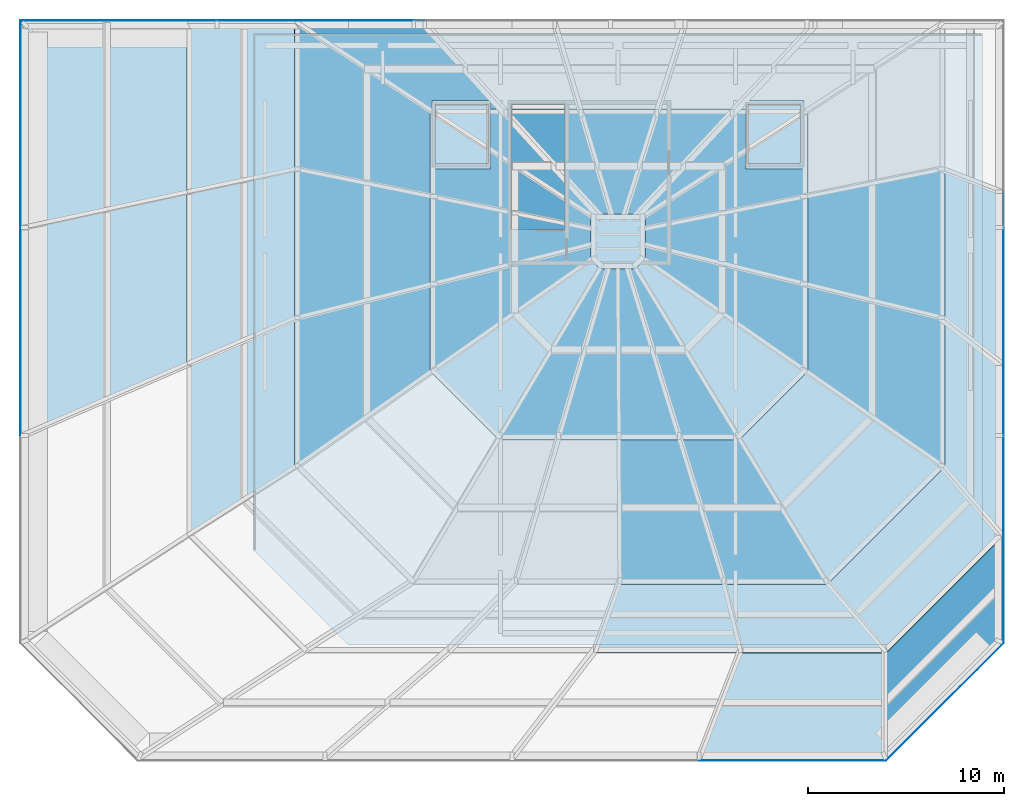
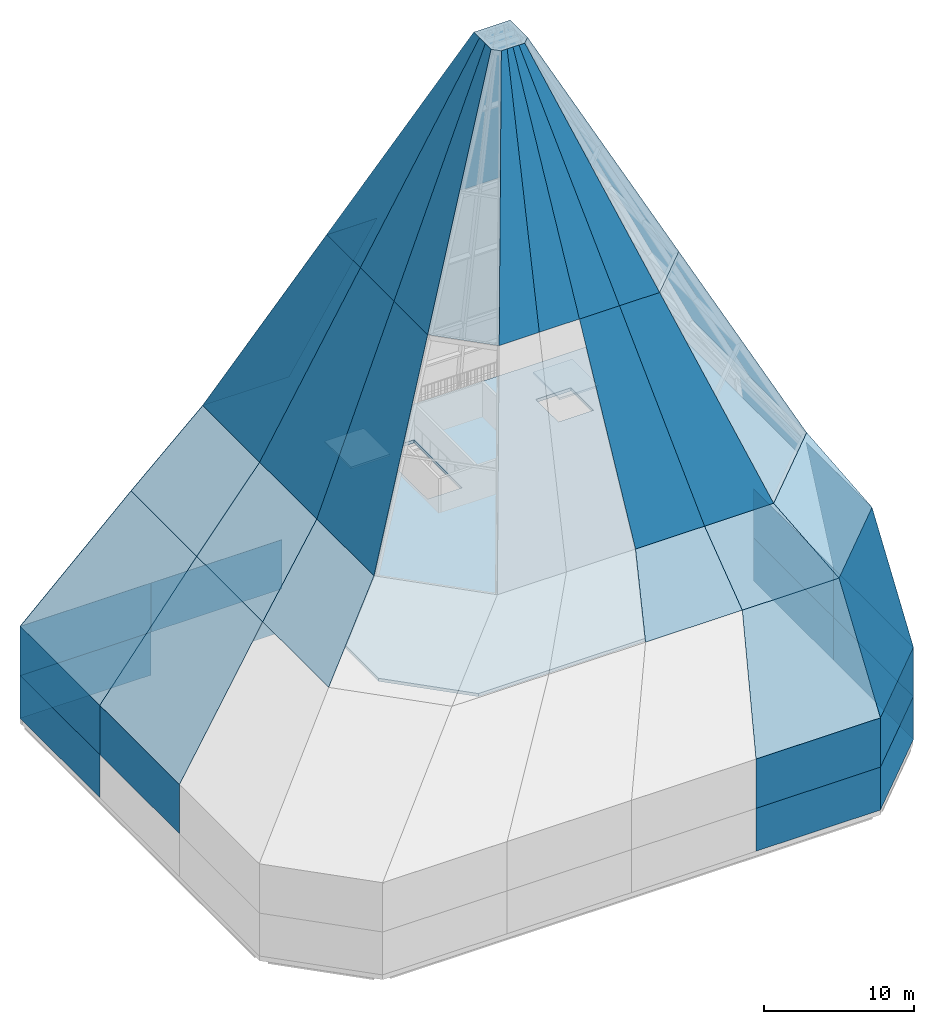
# One storey, part 5 of 7: 58 plates, 3 slabs.
"""IFC4 building model written with IfcOpenShell, lengths in metres."""

from ifc_helpers import new_model, si_unit, direction, frame, origin, place, context, subcontext, project, spatial, polyline, outline, extrude, material, layer, layer_set, type_object, element, save


model = new_model("IFC4")

# Units and contexts
model_context = context("Model", 3, precision=1e-05, world=origin(), true_north=direction((0.0, 1.0)))
body_context = subcontext(model_context, "Body", "Model", "MODEL_VIEW")
ifc_project = project(units=[si_unit("LENGTHUNIT", "METRE"), si_unit("AREAUNIT", "SQUARE_METRE"), si_unit("VOLUMEUNIT", "CUBIC_METRE"), si_unit("PLANEANGLEUNIT", "RADIAN"), si_unit("MASSUNIT", "GRAM", prefix="KILO")], contexts=[model_context])

# Site, building, storey
site_placement = place(None, origin())
site = spatial("IfcSite", under=ifc_project, at=site_placement, CompositionType="ELEMENT")
building_placement = place(site_placement, origin())
building = spatial("IfcBuilding", under=site, at=building_placement, Name="Sorahane Residences", CompositionType="ELEMENT")
storey_placement = place(building_placement, frame((0.0, 0.0, 357.800048828125)))
storey = spatial("IfcBuildingStorey", under=building, at=storey_placement, Name="RF", CompositionType="ELEMENT", Elevation=357.800048828125)

# Slab
ifc_material_1 = material(Name="Concrete C35", Category="concrete")
ifc_layer_1 = layer(ifc_material_1, 0.25)
ifc_layer_set_1 = layer_set([ifc_layer_1], Name="Composite roof slab 250 mm Concrete C35")
slab_type_1 = type_object("IfcSlabType", Name="Composite roof slab 250 mm Concrete C35", PredefinedType="ROOF", material=ifc_layer_set_1)
slab_1_placement = place(storey_placement, frame((0.0, 0.0, -0.25)))
element("IfcSlab", 1, at=slab_1_placement, inside=storey, type_object=slab_type_1, Name="Slab RF", PredefinedType="ROOF", context=body_context, shape_type="SweptSolid", body=[
    extrude(outline(polyline([(10.25146484375, 17.39990234375), (5.39990234375, 22.25146484375), (5.39990234375, 48.60009765625), (42.60009765625, 48.60009765625), (42.60009765625, 22.25146484375), (37.74853515625, 17.39990234375), (10.25146484375, 17.39990234375)]), holes=[polyline([(30.60009765625, 42.0), (33.300048828125, 42.0), (33.300048828125, 45.0), (30.60009765625, 45.0), (30.60009765625, 42.0)]), polyline([(14.699951171875, 42.0), (17.39990234375, 42.0), (17.39990234375, 45.0), (14.699951171875, 45.0), (14.699951171875, 42.0)]), polyline([(21.25, 38.60009765625), (21.25, 45.0), (18.60009765625, 45.0), (18.60009765625, 38.60009765625), (21.25, 38.60009765625)])]), origin(), (0.0, 0.0, 1.0), 0.25),
])

# Plates
ifc_material_2 = material(Name="Laminated low-iron glass", Category="glass")
ifc_layer_2 = layer(ifc_material_2, 0.030029296875)
ifc_layer_set_2 = layer_set([ifc_layer_2], Name="Glass point facet laminated low-iron glass 30")
plate_type = type_object("IfcPlateType", Name="Glass point facet laminated low-iron glass 30", PredefinedType="SHEET", material=ifc_layer_set_2)
plate_1_placement = place(storey_placement, frame((28.14990234375, 11.5, -15.47998046875), z_axis=(0.0, -1.0, 0.0), x_axis=(1.0, 0.0, 0.0)))
element("IfcPlate", 2, at=plate_1_placement, inside=storey, type_object=plate_type, Name="Glass point facet 1.5", PredefinedType="SHEET", context=body_context, shape_type="SweptSolid", body=[
    extrude(outline(polyline([(0.0, 0.0), (9.550048828125, 0.0), (9.550048828125, 3.47998046875), (0.0, 3.47998046875), (0.0, 0.0)])), origin(), (0.0, 0.0, -1.0), 0.030029296875),
])
plate_2_placement = place(storey_placement, frame((37.699951171875, 11.5, -15.47998046875), z_axis=(0.707106781187, -0.707106781187, 0.0), x_axis=(0.707106781187, 0.707106781187, 0.0)))
element("IfcPlate", 3, at=plate_2_placement, inside=storey, type_object=plate_type, Name="Glass point facet 1.6", PredefinedType="SHEET", context=body_context, shape_type="SweptSolid", body=[
    extrude(outline(polyline([(0.0, 0.0), (8.485281374238571, 0.0), (8.485281374238571, 3.47998046875), (0.0, 3.47998046875), (0.0, 0.0)])), origin(), (0.0, 0.0, -1.0), 0.030029296875),
])
plate_3_placement = place(storey_placement, frame((43.699951171875, 17.5, -15.47998046875), z_axis=(1.0, 0.0, 0.0), x_axis=(0.0, 1.0, 0.0)))
element("IfcPlate", 4, at=plate_3_placement, inside=storey, type_object=plate_type, Name="Glass point facet 1.7", PredefinedType="SHEET", context=body_context, shape_type="SweptSolid", body=[
    extrude(outline(polyline([(0.0, 0.0), (10.60009765625, 0.0), (10.60009765625, 3.47998046875), (0.0, 3.47998046875), (0.0, 0.0)])), origin(), (0.0, 0.0, -1.0), 0.030029296875),
])
plate_4_placement = place(storey_placement, frame((43.699951171875, 28.10009765625, -15.47998046875), z_axis=(1.0, 0.0, 0.0), x_axis=(0.0, 1.0, 0.0)))
element("IfcPlate", 5, at=plate_4_placement, inside=storey, type_object=plate_type, Name="Glass point facet 1.8", PredefinedType="SHEET", context=body_context, shape_type="SweptSolid", body=[
    extrude(outline(polyline([(0.0, 0.0), (10.599853515625, 0.0), (10.599853515625, 3.47998046875), (0.0, 3.47998046875), (0.0, 0.0)])), origin(), (0.0, 0.0, -1.0), 0.030029296875),
])
for number, where, z_axis, x_axis, name in (
    (6, (13.580078125, 49.300048828125, -15.47998046875), (0.0, 1.0, 0.0), (-1.0, 0.0, 0.0), "Glass point facet 1.13"),
    (7, (3.5400390625, 49.300048828125, -15.47998046875), (0.0, 1.0, 0.0), (-1.0, 0.0, 0.0), "Glass point facet 1.14"),
):
    element("IfcPlate", number, at=place(storey_placement, frame(where, z_axis=z_axis, x_axis=x_axis)), inside=storey, type_object=plate_type, Name=name, PredefinedType="SHEET", context=body_context, shape_type="SweptSolid", body=[
        extrude(outline(polyline([(0.0, 0.0), (10.0400390625, 0.0), (10.0400390625, 3.47998046875), (0.0, 3.47998046875), (0.0, 0.0)])), origin(), (0.0, 0.0, -1.0), 0.030029296875),
    ])
plate_5_placement = place(storey_placement, frame((-6.5, 49.300048828125, -15.47998046875), z_axis=(-1.0, 0.0, 0.0), x_axis=(0.0, -1.0, 0.0)))
element("IfcPlate", 8, at=plate_5_placement, inside=storey, type_object=plate_type, Name="Glass point facet 1.15", PredefinedType="SHEET", context=body_context, shape_type="SweptSolid", body=[
    extrude(outline(polyline([(0.0, 0.0), (10.60009765625, 0.0), (10.60009765625, 3.47998046875), (0.0, 3.47998046875), (0.0, 0.0)])), origin(), (0.0, 0.0, -1.0), 0.030029296875),
])
plate_6_placement = place(storey_placement, frame((28.14990234375, 11.5, -12.0), z_axis=(0.0, -1.0, 0.0), x_axis=(1.0, 0.0, 0.0)))
element("IfcPlate", 9, at=plate_6_placement, inside=storey, type_object=plate_type, Name="Glass point facet 2.5", PredefinedType="SHEET", context=body_context, shape_type="SweptSolid", body=[
    extrude(outline(polyline([(0.0, 0.0), (9.550048828125, 0.0), (9.550048828125, 4.0), (0.0, 4.0), (0.0, 0.0)])), origin(), (0.0, 0.0, -1.0), 0.030029296875),
])
plate_7_placement = place(storey_placement, frame((37.699951171875, 11.5, -12.0), z_axis=(0.707106781187, -0.707106781187, 0.0), x_axis=(0.707106781187, 0.707106781187, 0.0)))
element("IfcPlate", 10, at=plate_7_placement, inside=storey, type_object=plate_type, Name="Glass point facet 2.6", PredefinedType="SHEET", context=body_context, shape_type="SweptSolid", body=[
    extrude(outline(polyline([(0.0, 0.0), (8.485281374238571, 0.0), (8.485281374238571, 4.000000000000001), (0.0, 4.000000000000001), (0.0, 0.0)])), origin(), (0.0, 0.0, -1.0), 0.030029296875),
])
plate_8_placement = place(storey_placement, frame((43.699951171875, 17.5, -12.0), z_axis=(1.0, 0.0, 0.0), x_axis=(0.0, 1.0, 0.0)))
element("IfcPlate", 11, at=plate_8_placement, inside=storey, type_object=plate_type, Name="Glass point facet 2.7", PredefinedType="SHEET", context=body_context, shape_type="SweptSolid", body=[
    extrude(outline(polyline([(0.0, 0.0), (10.60009765625, 0.0), (10.60009765625, 4.0), (0.0, 4.0), (0.0, 0.0)])), origin(), (0.0, 0.0, -1.0), 0.030029296875),
])
plate_9_placement = place(storey_placement, frame((43.699951171875, 28.10009765625, -12.0), z_axis=(1.0, 0.0, 0.0), x_axis=(0.0, 1.0, 0.0)))
element("IfcPlate", 12, at=plate_9_placement, inside=storey, type_object=plate_type, Name="Glass point facet 2.8", PredefinedType="SHEET", context=body_context, shape_type="SweptSolid", body=[
    extrude(outline(polyline([(0.0, 0.0), (10.599853515625, 0.0), (10.599853515625, 4.0), (0.0, 4.0), (0.0, 0.0)])), origin(), (0.0, 0.0, -1.0), 0.030029296875),
])
for number, where, z_axis, x_axis, name in (
    (13, (13.580078125, 49.300048828125, -12.0), (0.0, 1.0, 0.0), (-1.0, 0.0, 0.0), "Glass point facet 2.13"),
    (14, (3.5400390625, 49.300048828125, -12.0), (0.0, 1.0, 0.0), (-1.0, 0.0, 0.0), "Glass point facet 2.14"),
):
    element("IfcPlate", number, at=place(storey_placement, frame(where, z_axis=z_axis, x_axis=x_axis)), inside=storey, type_object=plate_type, Name=name, PredefinedType="SHEET", context=body_context, shape_type="SweptSolid", body=[
        extrude(outline(polyline([(0.0, 0.0), (10.0400390625, 0.0), (10.0400390625, 4.0), (0.0, 4.0), (0.0, 0.0)])), origin(), (0.0, 0.0, -1.0), 0.030029296875),
    ])
plate_10_placement = place(storey_placement, frame((-6.5, 49.300048828125, -12.0), z_axis=(-1.0, 0.0, 0.0), x_axis=(0.0, -1.0, 0.0)))
element("IfcPlate", 15, at=plate_10_placement, inside=storey, type_object=plate_type, Name="Glass point facet 2.15", PredefinedType="SHEET", context=body_context, shape_type="SweptSolid", body=[
    extrude(outline(polyline([(0.0, 0.0), (10.60009765625, 0.0), (10.60009765625, 4.0), (0.0, 4.0), (0.0, 0.0)])), origin(), (0.0, 0.0, -1.0), 0.030029296875),
])
plate_11_placement = place(storey_placement, frame((-6.5, 38.699951171875, -12.0), z_axis=(-1.0, 0.0, 0.0), x_axis=(0.0, -1.0, 0.0)))
element("IfcPlate", 16, at=plate_11_placement, inside=storey, type_object=plate_type, Name="Glass point facet 2.16", PredefinedType="SHEET", context=body_context, shape_type="SweptSolid", body=[
    extrude(outline(polyline([(0.0, 0.0), (10.599853515625, 0.0), (10.599853515625, 4.0), (0.0, 4.0), (0.0, 0.0)])), origin(), (0.0, 0.0, -1.0), 0.030029296875),
])
plate_12_placement = place(storey_placement, frame((28.14990234375, 11.5, -8.0), z_axis=(0.0, -0.824041924199, 0.566528822887), x_axis=(1.0, 0.0, 0.0)))
element("IfcPlate", 17, at=plate_12_placement, inside=storey, type_object=plate_type, Name="Glass point facet 3.5", PredefinedType="SHEET", context=body_context, shape_type="SweptSolid", body=[
    extrude(outline(polyline([(0.0, 0.0), (9.550048828125, 0.0), (9.550048828125, 9.708243919473798), (2.125, 9.708243919473798), (0.0, 0.0)])), origin(), (0.0, 0.0, -1.0), 0.030029296875),
])
plate_13_placement = place(storey_placement, frame((37.699951171875, 11.5, -8.0), z_axis=(0.635942906814, -0.635942906814, 0.437210748434), x_axis=(0.707106781187, 0.707106781187, 0.0)))
element("IfcPlate", 18, at=plate_13_placement, inside=storey, type_object=plate_type, Name="Glass point facet 3.6", PredefinedType="SHEET", context=body_context, shape_type="SweptSolid", body=[
    extrude(outline(polyline([(0.0, 0.0), (8.485281374238571, 0.0), (12.374368670764582, 8.8952234373286), (3.8890872965260117, 8.8952234373286), (0.0, 0.0)])), origin(), (0.0, 0.0, -1.0), 0.030029296875),
])
plate_14_placement = place(storey_placement, frame((43.699951171875, 17.5, -8.0), z_axis=(1.0, 0.0, 0.0), x_axis=(0.0, 1.0, 0.0)))
element("IfcPlate", 19, at=plate_14_placement, inside=storey, type_object=plate_type, Name="Glass point facet 3.7", PredefinedType="SHEET", context=body_context, shape_type="SweptSolid", body=[
    extrude(outline(polyline([(0.0, 0.0), (10.60009765625, 0.0), (14.2666015625, 8.0), (5.5, 8.0), (0.0, 0.0)])), origin(), (0.0, 0.0, -1.0), 0.030029296875),
])
plate_15_placement = place(storey_placement, frame((43.699951171875, 28.10009765625, -8.0), z_axis=(1.0, 0.0, 0.0), x_axis=(0.0, 1.0, 0.0)))
element("IfcPlate", 20, at=plate_15_placement, inside=storey, type_object=plate_type, Name="Glass point facet 3.8", PredefinedType="SHEET", context=body_context, shape_type="SweptSolid", body=[
    extrude(outline(polyline([(0.0, 0.0), (10.599853515625, 0.0), (12.43310546875, 8.0), (3.66650390625, 8.0), (0.0, 0.0)])), origin(), (0.0, 0.0, -1.0), 0.030029296875),
])
plate_16_placement = place(storey_placement, frame((3.5400390625, 49.300048828125, -8.0), z_axis=(0.0, 1.0, 0.0), x_axis=(-1.0, 0.0, 0.0)))
element("IfcPlate", 21, at=plate_16_placement, inside=storey, type_object=plate_type, Name="Glass point facet 3.14", PredefinedType="SHEET", context=body_context, shape_type="SweptSolid", body=[
    extrude(outline(polyline([(0.0, 0.0), (10.0400390625, 0.0), (1.5400390625, 8.0), (-6.800048828125, 8.0), (0.0, 0.0)])), origin(), (0.0, 0.0, -1.0), 0.030029296875),
])
plate_17_placement = place(storey_placement, frame((-6.5, 49.300048828125, -8.0), z_axis=(-0.685364699005, 0.0, 0.728199992693), x_axis=(0.0, -1.0, 0.0)))
element("IfcPlate", 22, at=plate_17_placement, inside=storey, type_object=plate_type, Name="Glass point facet 3.15", PredefinedType="SHEET", context=body_context, shape_type="SweptSolid", body=[
    extrude(outline(polyline([(0.0, 0.0), (10.60009765625, 0.0), (8.766845703125, 11.672617529928752), (0.0, 11.672617529928752), (0.0, 0.0)])), origin(), (0.0, 0.0, -1.0), 0.030029296875),
])
plate_18_placement = place(storey_placement, frame((-6.5, 38.699951171875, -8.0), z_axis=(-0.685364699005, 0.0, 0.728199992693), x_axis=(0.0, -1.0, 0.0)))
element("IfcPlate", 23, at=plate_18_placement, inside=storey, type_object=plate_type, Name="Glass point facet 3.16", PredefinedType="SHEET", context=body_context, shape_type="SweptSolid", body=[
    extrude(outline(polyline([(0.0, 0.0), (10.599853515625, 0.0), (6.933349609375, 11.672617529928752), (-1.833251953125, 11.672617529928752), (0.0, 0.0)])), origin(), (0.0, 0.0, -1.0), 0.030029296875),
])
plate_19_placement = place(storey_placement, frame((22.85009765625, 17.0, 0.0), z_axis=(0.0, -0.819231920519, 0.573462344363), x_axis=(1.0, 0.0, 0.0)))
element("IfcPlate", 24, at=plate_19_placement, inside=storey, type_object=plate_type, Name="Glass point facet 4.4", PredefinedType="SHEET", context=body_context, shape_type="SweptSolid", body=[
    extrude(outline(polyline([(0.0, 0.0), (7.4248046875, 0.0), (6.5498046875, 6.103277807866851), (1.25, 6.103277807866851), (0.0, 0.0)])), origin(), (0.0, 0.0, -1.0), 0.030029296875),
])
plate_20_placement = place(storey_placement, frame((30.27490234375, 17.0, 0.0), z_axis=(0.0, -0.819231920519, 0.573462344363), x_axis=(1.0, 0.0, 0.0)))
element("IfcPlate", 25, at=plate_20_placement, inside=storey, type_object=plate_type, Name="Glass point facet 4.5", PredefinedType="SHEET", context=body_context, shape_type="SweptSolid", body=[
    extrude(outline(polyline([(0.0, 0.0), (7.425048828125, 0.0), (4.425048828125, 6.103277807866851), (-0.875, 6.103277807866851), (0.0, 0.0)])), origin(), (0.0, 0.0, -1.0), 0.030029296875),
])
plate_21_placement = place(storey_placement, frame((37.699951171875, 17.0, 0.0), z_axis=(0.520579206295, -0.520579206295, 0.676752968184), x_axis=(0.707106781187, 0.707106781187, 0.0)))
element("IfcPlate", 26, at=plate_21_placement, inside=storey, type_object=plate_type, Name="Glass point facet 4.6", PredefinedType="SHEET", context=body_context, shape_type="SweptSolid", body=[
    extrude(outline(polyline([(0.0, 0.0), (8.485281374238571, 0.0), (8.838834764831844, 6.791538853603062), (0.3535533905932735, 6.791538853603063), (0.0, 0.0)])), origin(), (0.0, 0.0, -1.0), 0.030029296875),
])
plate_22_placement = place(storey_placement, frame((43.699951171875, 23.0, 0.0), z_axis=(0.857492925713, 0.0, 0.514495755428), x_axis=(0.0, 1.0, 0.0)))
element("IfcPlate", 27, at=plate_22_placement, inside=storey, type_object=plate_type, Name="Glass point facet 4.7", PredefinedType="SHEET", context=body_context, shape_type="SweptSolid", body=[
    extrude(outline(polyline([(0.0, 0.0), (8.7666015625, 0.0), (11.10009765625, 5.830951894845301), (3.5, 5.830951894845301), (0.0, 0.0)])), origin(), (0.0, 0.0, -1.0), 0.030029296875),
])
plate_23_placement = place(storey_placement, frame((43.699951171875, 31.7666015625, 0.0), z_axis=(0.857492925713, 0.0, 0.514495755428), x_axis=(0.0, 1.0, 0.0)))
element("IfcPlate", 28, at=plate_23_placement, inside=storey, type_object=plate_type, Name="Glass point facet 4.8", PredefinedType="SHEET", context=body_context, shape_type="SweptSolid", body=[
    extrude(outline(polyline([(0.0, 0.0), (8.7666015625, 0.0), (9.933349609375, 5.830951894845301), (2.33349609375, 5.830951894845301), (0.0, 0.0)])), origin(), (0.0, 0.0, -1.0), 0.030029296875),
])
plate_24_placement = place(storey_placement, frame((10.340087890625, 49.300048828125, 0.0), z_axis=(0.0, 1.0, 0.0), x_axis=(-1.0, 0.0, 0.0)))
element("IfcPlate", 29, at=plate_24_placement, inside=storey, type_object=plate_type, Name="Glass point facet 4.14", PredefinedType="SHEET", context=body_context, shape_type="SweptSolid", body=[
    extrude(outline(polyline([(0.0, 0.0), (8.340087890625, 0.0), (2.840087890625, 5.0), (-3.7998046875, 5.0), (0.0, 0.0)])), origin(), (0.0, 0.0, -1.0), 0.030029296875),
])
plate_25_placement = place(storey_placement, frame((2.0, 49.300048828125, 0.0), z_axis=(-0.672672793996, 0.0, 0.739940073396), x_axis=(0.0, -1.0, 0.0)))
element("IfcPlate", 30, at=plate_25_placement, inside=storey, type_object=plate_type, Name="Glass point facet 4.15", PredefinedType="SHEET", context=body_context, shape_type="SweptSolid", body=[
    extrude(outline(polyline([(0.0, 0.0), (8.766845703125, 0.0), (7.60009765625, 7.433034373659253), (0.0, 7.433034373659253), (0.0, 0.0)])), origin(), (0.0, 0.0, -1.0), 0.030029296875),
])
plate_26_placement = place(storey_placement, frame((2.0, 40.533203125, 0.0), z_axis=(-0.672672793996, 0.0, 0.739940073396), x_axis=(0.0, -1.0, 0.0)))
element("IfcPlate", 31, at=plate_26_placement, inside=storey, type_object=plate_type, Name="Glass point facet 4.16", PredefinedType="SHEET", context=body_context, shape_type="SweptSolid", body=[
    extrude(outline(polyline([(0.0, 0.0), (8.7666015625, 0.0), (6.43310546875, 7.433034373659254), (-1.166748046875, 7.433034373659254), (0.0, 0.0)])), origin(), (0.0, 0.0, -1.0), 0.030029296875),
])
plate_27_placement = place(storey_placement, frame((2.0, 31.7666015625, 0.0), z_axis=(-0.672672793996, 0.0, 0.739940073396), x_axis=(0.0, -1.0, 0.0)))
element("IfcPlate", 32, at=plate_27_placement, inside=storey, type_object=plate_type, Name="Glass point facet 4.17", PredefinedType="SHEET", context=body_context, shape_type="SweptSolid", body=[
    extrude(outline(polyline([(0.0, 0.0), (8.7666015625, 0.0), (5.2666015625, 7.433034373659253), (-2.33349609375, 7.433034373659253), (0.0, 0.0)])), origin(), (0.0, 0.0, -1.0), 0.030029296875),
])
plate_28_placement = place(storey_placement, frame((24.10009765625, 20.5, 5.0), z_axis=(0.0, -0.88745251213, 0.460899163281), x_axis=(1.0, 0.0, 0.0)))
element("IfcPlate", 33, at=plate_28_placement, inside=storey, type_object=plate_type, Name="Glass point facet 5.4", PredefinedType="SHEET", context=body_context, shape_type="SweptSolid", body=[
    extrude(outline(polyline([(0.0, 0.0), (5.2998046875, 0.0), (3.032470703125, 16.000801144599606), (-0.0458984375, 16.000801144599606), (0.0, 0.0)])), origin(), (0.0, 0.0, -1.0), 0.030029296875),
])
plate_29_placement = place(storey_placement, frame((29.39990234375, 20.5, 5.0), z_axis=(0.0, -0.88745251213, 0.460899163281), x_axis=(1.0, 0.0, 0.0)))
element("IfcPlate", 34, at=plate_29_placement, inside=storey, type_object=plate_type, Name="Glass point facet 5.5", PredefinedType="SHEET", context=body_context, shape_type="SweptSolid", body=[
    extrude(outline(polyline([(0.0, 0.0), (5.300048828125, 0.0), (0.81103515625, 16.000801144599606), (-2.267333984375, 16.000801144599606), (0.0, 0.0)])), origin(), (0.0, 0.0, -1.0), 0.030029296875),
])
plate_30_placement = place(storey_placement, frame((34.699951171875, 20.5, 5.0), z_axis=(0.608803193178, -0.608803193178, 0.508642648579), x_axis=(0.707106781187, 0.707106781187, 0.0)))
element("IfcPlate", 35, at=plate_30_placement, inside=storey, type_object=plate_type, Name="Glass point facet 5.6", PredefinedType="SHEET", context=body_context, shape_type="SweptSolid", body=[
    extrude(outline(polyline([(0.0, 0.0), (8.485281374238571, 0.0), (6.962999246186087, 16.49282046919029), (2.040527869537352, 16.49282046919029), (0.0, 0.0)])), origin(), (0.0, 0.0, -1.0), 0.030029296875),
])
plate_31_placement = place(storey_placement, frame((40.699951171875, 26.5, 5.0), z_axis=(0.89673091581, 0.0, 0.442576168169), x_axis=(0.0, 1.0, 0.0)))
element("IfcPlate", 36, at=plate_31_placement, inside=storey, type_object=plate_type, Name="Glass point facet 5.7", PredefinedType="SHEET", context=body_context, shape_type="SweptSolid", body=[
    extrude(outline(polyline([(0.0, 0.0), (7.60009765625, 0.0), (9.3251953125, 15.835242123949463), (4.85546875, 15.835242123949463), (0.0, 0.0)])), origin(), (0.0, 0.0, -1.0), 0.030029296875),
])
plate_32_placement = place(storey_placement, frame((40.699951171875, 34.10009765625, 5.0), z_axis=(0.89673091581, 0.0, 0.442576168169), x_axis=(0.0, 1.0, 0.0)))
element("IfcPlate", 37, at=plate_32_placement, inside=storey, type_object=plate_type, Name="Glass point facet 5.8", PredefinedType="SHEET", context=body_context, shape_type="SweptSolid", body=[
    extrude(outline(polyline([(0.0, 0.0), (7.599853515625, 0.0), (6.1953125, 15.835242123949463), (1.72509765625, 15.835242123949463), (0.0, 0.0)])), origin(), (0.0, 0.0, -1.0), 0.030029296875),
])
plate_33_placement = place(storey_placement, frame((14.139892578125, 49.300048828125, 5.0), z_axis=(0.0, 0.952600652207, 0.304223597729), x_axis=(-1.0, 0.0, 0.0)))
element("IfcPlate", 38, at=plate_33_placement, inside=storey, type_object=plate_type, Name="Glass point facet 5.14", PredefinedType="SHEET", context=body_context, shape_type="SweptSolid", body=[
    extrude(outline(polyline([(0.0, 0.0), (6.639892578125, 0.0), (-0.27685546875, 14.90651002493173), (-4.1318359375, 14.90651002493173), (0.0, 0.0)])), origin(), (0.0, 0.0, -1.0), 0.030029296875),
])
plate_34_placement = place(storey_placement, frame((7.5, 49.300048828125, 5.0), z_axis=(-0.899019203706, 0.0, 0.43790920448), x_axis=(0.0, -1.0, 0.0)))
element("IfcPlate", 39, at=plate_34_placement, inside=storey, type_object=plate_type, Name="Glass point facet 5.15", PredefinedType="SHEET", context=body_context, shape_type="SweptSolid", body=[
    extrude(outline(polyline([(0.0, 0.0), (7.60009765625, 0.0), (9.004638671875, 15.794936429995001), (4.534912109375, 15.794936429995001), (0.0, 0.0)])), origin(), (0.0, 0.0, -1.0), 0.030029296875),
])
plate_35_placement = place(storey_placement, frame((7.5, 41.699951171875, 5.0), z_axis=(-0.899019203706, 0.0, 0.43790920448), x_axis=(0.0, -1.0, 0.0)))
element("IfcPlate", 40, at=plate_35_placement, inside=storey, type_object=plate_type, Name="Glass point facet 5.16", PredefinedType="SHEET", context=body_context, shape_type="SweptSolid", body=[
    extrude(outline(polyline([(0.0, 0.0), (7.599853515625, 0.0), (5.874755859375, 15.794936429995005), (1.404541015625, 15.794936429995005), (0.0, 0.0)])), origin(), (0.0, 0.0, -1.0), 0.030029296875),
])
plate_36_placement = place(storey_placement, frame((7.5, 34.10009765625, 5.0), z_axis=(-0.899019203706, 0.0, 0.43790920448), x_axis=(0.0, -1.0, 0.0)))
element("IfcPlate", 41, at=plate_36_placement, inside=storey, type_object=plate_type, Name="Glass point facet 5.17", PredefinedType="SHEET", context=body_context, shape_type="SweptSolid", body=[
    extrude(outline(polyline([(0.0, 0.0), (7.60009765625, 0.0), (2.74462890625, 15.794936429995001), (-1.72509765625, 15.794936429995001), (0.0, 0.0)])), origin(), (0.0, 0.0, -1.0), 0.030029296875),
])
plate_37_placement = place(storey_placement, frame((14.416748046875, 31.35546875, 19.199951171875), z_axis=(-0.610015409344, -0.610015409344, 0.505729572721), x_axis=(0.707106781187, -0.707106781187, 0.0)))
element("IfcPlate", 42, at=plate_37_placement, inside=storey, type_object=plate_type, Name="Glass point facet 6.1", PredefinedType="SHEET", context=body_context, shape_type="SweptSolid", body=[
    extrude(outline(polyline([(0.0, 0.0), (4.922471376648735, 0.0), (2.4315427277862605, 19.473980933369532), (1.724435946599713, 19.473980933369532), (0.0, 0.0)])), origin(), (0.0, 0.0, -1.0), 0.030029296875),
])
plate_38_placement = place(storey_placement, frame((17.8974609375, 27.874755859375, 19.199951171875), z_axis=(0.0, -0.887447690267, 0.460908447568), x_axis=(1.0, 0.0, 0.0)))
element("IfcPlate", 43, at=plate_38_placement, inside=storey, type_object=plate_type, Name="Glass point facet 6.2", PredefinedType="SHEET", context=body_context, shape_type="SweptSolid", body=[
    extrude(outline(polyline([(0.0, 0.0), (3.078369140625, 0.0), (5.652587890625, 18.930748270992304), (5.20263671875, 18.930748270992304), (0.0, 0.0)])), origin(), (0.0, 0.0, -1.0), 0.030029296875),
])
plate_39_placement = place(storey_placement, frame((20.975830078125, 27.874755859375, 19.199951171875), z_axis=(0.0, -0.887447690267, 0.460908447568), x_axis=(1.0, 0.0, 0.0)))
element("IfcPlate", 44, at=plate_39_placement, inside=storey, type_object=plate_type, Name="Glass point facet 6.3", PredefinedType="SHEET", context=body_context, shape_type="SweptSolid", body=[
    extrude(outline(polyline([(0.0, 0.0), (3.078369140625, 0.0), (3.024169921875, 18.930748270992304), (2.57421875, 18.930748270992304), (0.0, 0.0)])), origin(), (0.0, 0.0, -1.0), 0.030029296875),
])
plate_40_placement = place(storey_placement, frame((24.05419921875, 27.874755859375, 19.199951171875), z_axis=(0.0, -0.887447690267, 0.460908447568), x_axis=(1.0, 0.0, 0.0)))
element("IfcPlate", 45, at=plate_40_placement, inside=storey, type_object=plate_type, Name="Glass point facet 6.4", PredefinedType="SHEET", context=body_context, shape_type="SweptSolid", body=[
    extrude(outline(polyline([(0.0, 0.0), (3.078369140625, 0.0), (0.395751953125, 18.930748270992304), (-0.05419921875, 18.930748270992304), (0.0, 0.0)])), origin(), (0.0, 0.0, -1.0), 0.030029296875),
])
plate_41_placement = place(storey_placement, frame((27.132568359375, 27.874755859375, 19.199951171875), z_axis=(0.0, -0.887447690267, 0.460908447568), x_axis=(1.0, 0.0, 0.0)))
element("IfcPlate", 46, at=plate_41_placement, inside=storey, type_object=plate_type, Name="Glass point facet 6.5", PredefinedType="SHEET", context=body_context, shape_type="SweptSolid", body=[
    extrude(outline(polyline([(0.0, 0.0), (3.078369140625, 0.0), (-2.232666015625, 18.930748270992304), (-2.6826171875, 18.930748270992304), (0.0, 0.0)])), origin(), (0.0, 0.0, -1.0), 0.030029296875),
])
plate_42_placement = place(storey_placement, frame((30.2109375, 27.874755859375, 19.199951171875), z_axis=(0.608800063783, -0.608800063783, 0.508650139757), x_axis=(0.707106781187, 0.707106781187, 0.0)))
element("IfcPlate", 47, at=plate_42_placement, inside=storey, type_object=plate_type, Name="Glass point facet 6.6", PredefinedType="SHEET", context=body_context, shape_type="SweptSolid", body=[
    extrude(outline(polyline([(0.0, 0.0), (4.922471376648735, 0.0), (3.121386159822746, 19.512856777327443), (2.414279378636198, 19.512856777327443), (0.0, 0.0)])), origin(), (0.0, 0.0, -1.0), 0.030029296875),
])
plate_43_placement = place(storey_placement, frame((33.691650390625, 31.35546875, 19.199951171875), z_axis=(0.896727004152, 0.0, 0.442584093732), x_axis=(0.0, 1.0, 0.0)))
element("IfcPlate", 48, at=plate_43_placement, inside=storey, type_object=plate_type, Name="Glass point facet 6.7", PredefinedType="SHEET", context=body_context, shape_type="SweptSolid", body=[
    extrude(outline(polyline([(0.0, 0.0), (4.4697265625, 0.0), (6.51123046875, 18.73485325003213), (5.74462890625, 18.73485325003213), (0.0, 0.0)])), origin(), (0.0, 0.0, -1.0), 0.030029296875),
])
plate_44_placement = place(storey_placement, frame((33.691650390625, 35.8251953125, 19.199951171875), z_axis=(0.896727004152, 0.0, 0.442584093732), x_axis=(0.0, 1.0, 0.0)))
element("IfcPlate", 49, at=plate_44_placement, inside=storey, type_object=plate_type, Name="Glass point facet 6.8", PredefinedType="SHEET", context=body_context, shape_type="SweptSolid", body=[
    extrude(outline(polyline([(0.0, 0.0), (4.47021484375, 0.0), (2.80810546875, 18.73485325003213), (2.04150390625, 18.73485325003213), (0.0, 0.0)])), origin(), (0.0, 0.0, -1.0), 0.030029296875),
])
plate_45_placement = place(storey_placement, frame((33.691650390625, 40.29541015625, 19.199951171875), z_axis=(0.896727004152, 0.0, 0.442584093732), x_axis=(0.0, 1.0, 0.0)))
element("IfcPlate", 50, at=plate_45_placement, inside=storey, type_object=plate_type, Name="Glass point facet 6.9", PredefinedType="SHEET", context=body_context, shape_type="SweptSolid", body=[
    extrude(outline(polyline([(0.0, 0.0), (4.4697265625, 0.0), (-0.8955078125, 18.73485325003213), (-1.662109375, 18.73485325003213), (0.0, 0.0)])), origin(), (0.0, 0.0, -1.0), 0.030029296875),
])
plate_46_placement = place(storey_placement, frame((33.691650390625, 44.76513671875, 19.199951171875), z_axis=(0.0, 0.952601437633, 0.304221138352), x_axis=(-1.0, 0.0, 0.0)))
element("IfcPlate", 51, at=plate_46_placement, inside=storey, type_object=plate_type, Name="Glass point facet 6.10", PredefinedType="SHEET", context=body_context, shape_type="SweptSolid", body=[
    extrude(outline(polyline([(0.0, 0.0), (3.85498046875, 0.0), (8.8515625, 17.635968375058564), (8.291748046875, 17.635968375058564), (0.0, 0.0)])), origin(), (0.0, 0.0, -1.0), 0.030029296875),
])
plate_47_placement = place(storey_placement, frame((29.836669921875, 44.76513671875, 19.199951171875), z_axis=(0.0, 0.952601437633, 0.304221138352), x_axis=(-1.0, 0.0, 0.0)))
element("IfcPlate", 52, at=plate_47_placement, inside=storey, type_object=plate_type, Name="Glass point facet 6.11", PredefinedType="SHEET", context=body_context, shape_type="SweptSolid", body=[
    extrude(outline(polyline([(0.0, 0.0), (3.85498046875, 0.0), (5.556640625, 17.63596837505856), (4.99658203125, 17.63596837505856), (0.0, 0.0)])), origin(), (0.0, 0.0, -1.0), 0.030029296875),
])
plate_48_placement = place(storey_placement, frame((25.981689453125, 44.76513671875, 19.199951171875), z_axis=(0.0, 0.952601437633, 0.304221138352), x_axis=(-1.0, 0.0, 0.0)))
element("IfcPlate", 53, at=plate_48_placement, inside=storey, type_object=plate_type, Name="Glass point facet 6.12", PredefinedType="SHEET", context=body_context, shape_type="SweptSolid", body=[
    extrude(outline(polyline([(0.0, 0.0), (3.85498046875, 0.0), (2.26171875, 17.63596837505856), (1.70166015625, 17.63596837505856), (0.0, 0.0)])), origin(), (0.0, 0.0, -1.0), 0.030029296875),
])
plate_49_placement = place(storey_placement, frame((22.126708984375, 44.76513671875, 19.199951171875), z_axis=(0.0, 0.952601437633, 0.304221138352), x_axis=(-1.0, 0.0, 0.0)))
element("IfcPlate", 54, at=plate_49_placement, inside=storey, type_object=plate_type, Name="Glass point facet 6.13", PredefinedType="SHEET", context=body_context, shape_type="SweptSolid", body=[
    extrude(outline(polyline([(0.0, 0.0), (3.85498046875, 0.0), (-1.033203125, 17.63596837505856), (-1.59326171875, 17.63596837505856), (0.0, 0.0)])), origin(), (0.0, 0.0, -1.0), 0.030029296875),
])
plate_50_placement = place(storey_placement, frame((18.271728515625, 44.76513671875, 19.199951171875), z_axis=(0.0, 0.952601437633, 0.304221138352), x_axis=(-1.0, 0.0, 0.0)))
element("IfcPlate", 55, at=plate_50_placement, inside=storey, type_object=plate_type, Name="Glass point facet 6.14", PredefinedType="SHEET", context=body_context, shape_type="SweptSolid", body=[
    extrude(outline(polyline([(0.0, 0.0), (3.85498046875, 0.0), (-4.328369140625, 17.635968375058564), (-4.88818359375, 17.635968375058564), (0.0, 0.0)])), origin(), (0.0, 0.0, -1.0), 0.030029296875),
])
plate_51_placement = place(storey_placement, frame((14.416748046875, 44.76513671875, 19.199951171875), z_axis=(-0.89901703767, 0.0, 0.437913651282), x_axis=(0.0, -1.0, 0.0)))
element("IfcPlate", 56, at=plate_51_placement, inside=storey, type_object=plate_type, Name="Glass point facet 6.15", PredefinedType="SHEET", context=body_context, shape_type="SweptSolid", body=[
    extrude(outline(polyline([(0.0, 0.0), (4.4697265625, 0.0), (6.1318359375, 18.68713063733012), (5.365234375, 18.68713063733012), (0.0, 0.0)])), origin(), (0.0, 0.0, -1.0), 0.030029296875),
])
plate_52_placement = place(storey_placement, frame((14.416748046875, 40.29541015625, 19.199951171875), z_axis=(-0.89901703767, 0.0, 0.437913651282), x_axis=(0.0, -1.0, 0.0)))
element("IfcPlate", 57, at=plate_52_placement, inside=storey, type_object=plate_type, Name="Glass point facet 6.16", PredefinedType="SHEET", context=body_context, shape_type="SweptSolid", body=[
    extrude(outline(polyline([(0.0, 0.0), (4.47021484375, 0.0), (2.4287109375, 18.687130637330124), (1.662109375, 18.687130637330124), (0.0, 0.0)])), origin(), (0.0, 0.0, -1.0), 0.030029296875),
])
plate_53_placement = place(storey_placement, frame((14.416748046875, 35.8251953125, 19.199951171875), z_axis=(-0.89901703767, 0.0, 0.437913651282), x_axis=(0.0, -1.0, 0.0)))
element("IfcPlate", 58, at=plate_53_placement, inside=storey, type_object=plate_type, Name="Glass point facet 6.17", PredefinedType="SHEET", context=body_context, shape_type="SweptSolid", body=[
    extrude(outline(polyline([(0.0, 0.0), (4.4697265625, 0.0), (-1.27490234375, 18.68713063733012), (-2.04150390625, 18.68713063733012), (0.0, 0.0)])), origin(), (0.0, 0.0, -1.0), 0.030029296875),
])
plate_54_placement = place(storey_placement, frame((22.60009765625, 37.10009765625, 36.0), z_axis=(0.0, 0.0, 1.0), x_axis=(0.707106781187, -0.707106781187, 0.0)))
element("IfcPlate", 59, at=plate_54_placement, inside=storey, type_object=plate_type, Name="Glass point facet 7.1", PredefinedType="SHEET", context=body_context, shape_type="SweptSolid", body=[
    extrude(outline(polyline([(0.0, 0.0), (0.7071067811865476, 0.0), (1.025270306022194, 0.3181635248356463), (1.3434338308578402, 0.6363270496712925), (1.6615973556934864, 0.954490574506939), (1.9797608805291327, 1.2726540993425852), (1.9797608805291327, 1.9797608805291327), (1.4376917172171797, 2.521830043841086), (0.8956225539052267, 3.063899207153039), (0.35355339059327373, 3.605968370464992), (-0.042295205417652415, 3.2101197744540655), (-0.4383164349200792, 2.814098544951639), (-0.834337664422506, 2.418077315449212), (-1.2303588939249328, 2.022056085946785), (-1.626207489935859, 1.626207489935859), (-1.084138326623906, 1.084138326623906), (-0.542069163311953, 0.542069163311953), (0.0, 0.0)])), origin(), (0.0, 0.0, -1.0), 0.030029296875),
])

# Slabs
ifc_material_3 = material(Name="Concrete C40", Category="concrete")
ifc_layer_3 = layer(ifc_material_3, 0.14990234375)
ifc_layer_set_3 = layer_set([ifc_layer_3], Name="Lift shaft head roof slab Concrete C40 150")
slab_type_2 = type_object("IfcSlabType", Name="Lift shaft head roof slab Concrete C40 150", PredefinedType="ROOF", material=ifc_layer_set_3)
slab_2_placement = place(storey_placement, frame((0.0, 0.0, 1.989990234375)))
element("IfcSlab", 60, at=slab_2_placement, inside=storey, type_object=slab_type_2, Name="FF1 lift shaft head roof", PredefinedType="ROOF", context=body_context, shape_type="SweptSolid", body=[
    extrude(outline(polyline([(14.5, 41.699951171875), (17.5, 41.699951171875), (17.5, 45.199951171875), (14.5, 45.199951171875), (14.5, 41.699951171875)])), origin(), (0.0, 0.0, 1.0), 0.14990234375),
])
slab_3_placement = place(storey_placement, frame((0.0, 0.0, 1.989990234375)))
element("IfcSlab", 61, at=slab_3_placement, inside=storey, type_object=slab_type_2, Name="FF2 lift shaft head roof", PredefinedType="ROOF", context=body_context, shape_type="SweptSolid", body=[
    extrude(outline(polyline([(30.5, 41.699951171875), (33.5, 41.699951171875), (33.5, 45.199951171875), (30.5, 45.199951171875), (30.5, 41.699951171875)])), origin(), (0.0, 0.0, 1.0), 0.14990234375),
])

save(model, "model.ifc")
